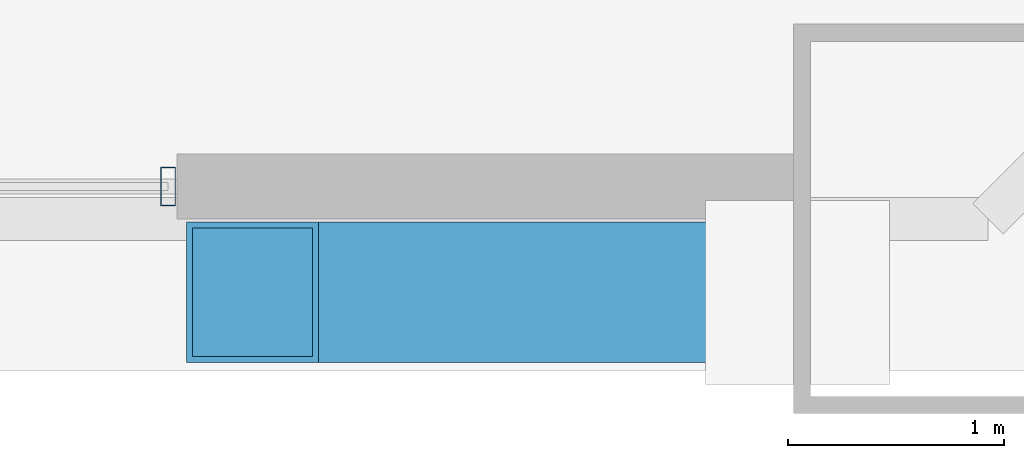
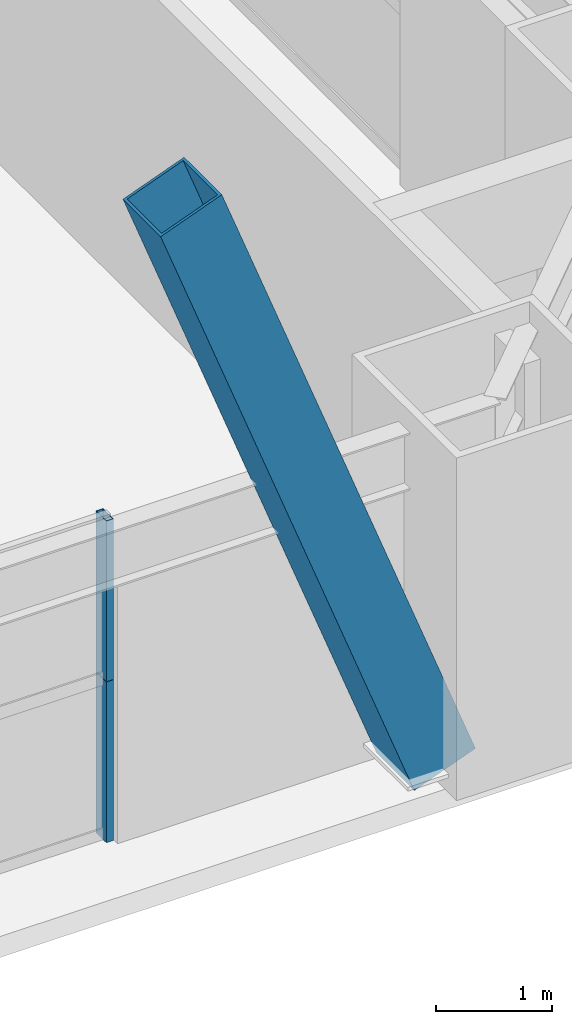
# One storey, part 15 of 43: 3 members, 1 element without a shape of its own.
"""IFC4 building model written with IfcOpenShell, lengths in metres."""

from ifc_helpers import new_model, si_unit, direction, frame, origin, origin_2d, place, context, subcontext, project, spatial, hollow_rectangle, extrude, source, transform, mapped, material, layer, layer_set, material_profile, profile_set, type_object, element, aggregate, save


model = new_model("IFC4")

# Units and contexts
model_context = context("Model", 3, precision=1e-05, world=origin(), true_north=direction((0.0, 1.0)))
body_context = subcontext(model_context, "Body", "Model", "MODEL_VIEW")
ifc_project = project(units=[si_unit("LENGTHUNIT", "METRE"), si_unit("AREAUNIT", "SQUARE_METRE"), si_unit("VOLUMEUNIT", "CUBIC_METRE"), si_unit("PLANEANGLEUNIT", "RADIAN"), si_unit("MASSUNIT", "GRAM", prefix="KILO"), si_unit("THERMODYNAMICTEMPERATUREUNIT", "KELVIN"), si_unit("POWERUNIT", "WATT")], contexts=[model_context])

# Site, building, storey
site_placement = place(None, origin())
site = spatial("IfcSite", under=ifc_project, at=site_placement, CompositionType="ELEMENT")
building_placement = place(site_placement, origin())
building = spatial("IfcBuilding", under=site, at=building_placement, Name="Yuzanri Waterfront Tower", CompositionType="ELEMENT")
storey_placement = place(building_placement, frame((0.0, 0.0, 74.800048828125)))
storey = spatial("IfcBuildingStorey", under=building, at=storey_placement, Name="L19", CompositionType="ELEMENT", Elevation=74.800048828125)

# Member
ifc_material_1 = material(Name="Steel Q420GJC", Category="steel")
ifc_material_profile_1 = material_profile(ifc_material_1, hollow_rectangle(XDim=0.64990234375, YDim=0.64990234375, WallThickness=0.028076171875, at=origin_2d()), Name="RHS 650x650x28")
ifc_profile_set_1 = profile_set([ifc_material_profile_1], Name="Steel Q420GJC")
member_type_1 = type_object("IfcMemberType", Name="Mega Brace Lower Q420GJC RHS 650x650x28", PredefinedType="BRACE", material=ifc_profile_set_1)
shared_shape_1 = source(origin(), body_context, "Body", "SweptSolid", [
    extrude(hollow_rectangle(XDim=0.64990234375, YDim=0.64990234375, WallThickness=0.028076171875, at=origin_2d()), origin(), (0.0, 0.0, 1.0), 7.158203125),
])
member_1_placement = place(storey_placement, frame((57.6201171875, 0.360107421875, 0.179931640625), z_axis=(-0.352046480343, 0.0, 0.935982518896), x_axis=(0.0, -1.0, 0.0)))
element("IfcMember", 1, at=member_1_placement, inside=storey, type_object=member_type_1, Name="L19-L20 Perimeter Mega-Brace S-R", PredefinedType="BRACE", context=body_context, shape_type="MappedRepresentation", body=[
    mapped(shared_shape_1, transform((0.0, 0.0, 0.0), scale=1.0)),
])

# Curtain wall, members
ifc_material_2 = material(Name="Anodized Architectural Bronze", Category="metal")
ifc_layer = layer(ifc_material_2, 0.159912109375)
ifc_layer_set = layer_set([ifc_layer], Name="Anodized Architectural Bronze")
curtain_wall_type = type_object("IfcCurtainWallType", Name="Anodized Bronze Hotel Lower-Tier Recessed Unitized Curtain Wall 8100", PredefinedType="NOTDEFINED", material=ifc_layer_set)
curtain_wall_placement = place(storey_placement, origin())
curtain_wall = element("IfcCurtainWall", 2, at=curtain_wall_placement, inside=storey, type_object=curtain_wall_type, Name="L19 Curtain Wall CW-L19-SR", PredefinedType="NOTDEFINED")
ifc_material_3 = material(Name="Anodized Architectural Bronze", Category="metal")
ifc_material_profile_2 = material_profile(ifc_material_3, hollow_rectangle(XDim=0.070068359375, YDim=0.179931640625, WallThickness=0.00390625, at=origin_2d()), Name="CWM 70x180")
ifc_profile_set_2 = profile_set([ifc_material_profile_2], Name="Anodized Architectural Bronze")
member_type_2 = type_object("IfcMemberType", Name="Anodized Bronze Standard Curtain-Wall Mullion 70x180", PredefinedType="MULLION", material=ifc_profile_set_2)
shared_shape_2 = source(origin(), body_context, "Body", "SweptSolid", [
    extrude(hollow_rectangle(XDim=0.070068359375, YDim=0.179931640625, WallThickness=0.00390625, at=origin_2d()), origin(), (0.0, 0.0, 1.0), 1.68798828125),
])
member_2_placement = place(storey_placement, frame((54.7099609375, 0.85009765625, 0.0), z_axis=(0.0, 0.0, 1.0), x_axis=(1.0, 0.0, 0.0)))
member_2 = element("IfcMember", 3, at=member_2_placement, type_object=member_type_2, Name="CW-L19-SR Lower Mullion 02", PredefinedType="MULLION", context=body_context, shape_type="MappedRepresentation", body=[
    mapped(shared_shape_2, transform((0.0, 0.0, 0.0), scale=1.0)),
])
member_3_placement = place(storey_placement, frame((54.7099609375, 0.85009765625, 1.69189453125), z_axis=(0.0, 0.0, 1.0), x_axis=(1.0, 0.0, 0.0)))
member_3 = element("IfcMember", 4, at=member_3_placement, type_object=member_type_2, Name="CW-L19-SR Upper Mullion 02", PredefinedType="MULLION", context=body_context, shape_type="MappedRepresentation", body=[
    mapped(shared_shape_2, transform((0.0, 0.0, 0.0), scale=1.0)),
])
aggregate(curtain_wall, [member_2, member_3])

save(model, "model.ifc")
